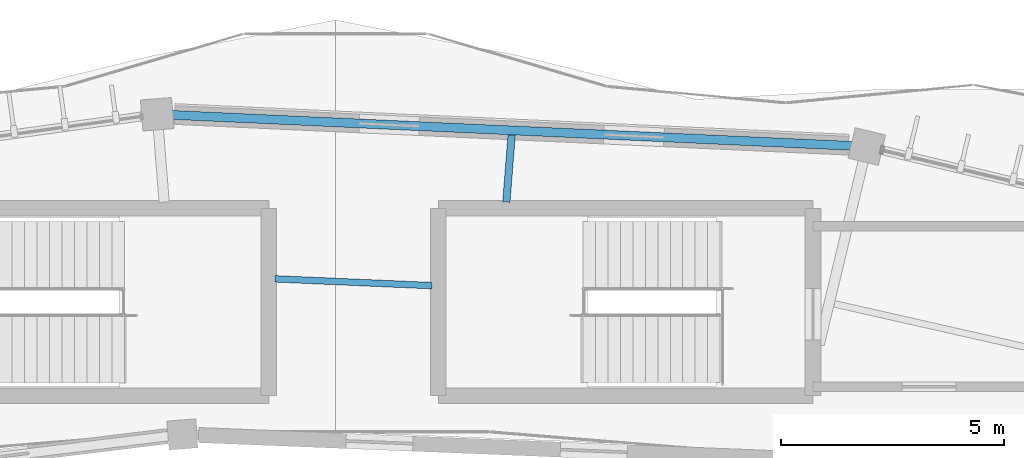
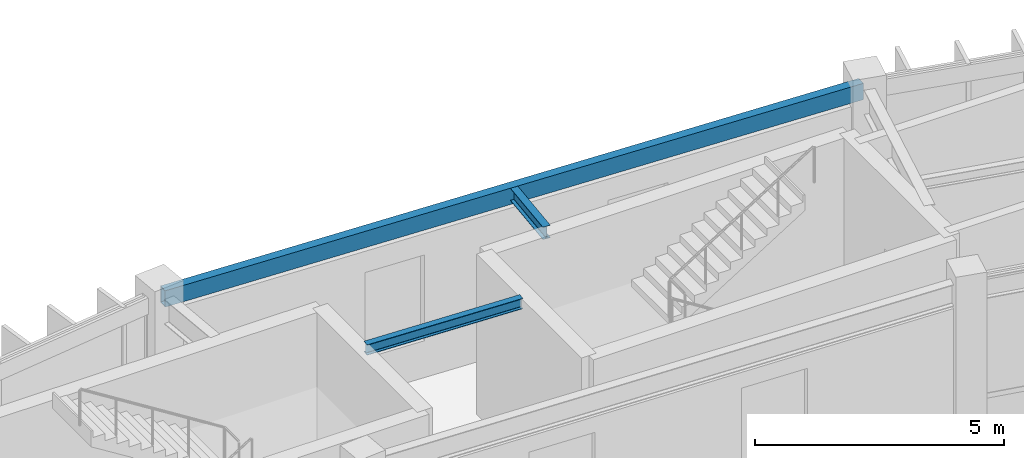
# One storey, part 68 of 138: 3 beams.
"""IFC4 building model written with IfcOpenShell, lengths in metres."""

from ifc_helpers import new_model, si_unit, direction, frame, origin, origin_2d, place, context, subcontext, project, spatial, hollow_rectangle, i_section, extrude, material, material_profile, profile_set, type_object, element, save


model = new_model("IFC4")

# Units and contexts
model_context = context("Model", 3, precision=1e-05, world=origin(), true_north=direction((0.0, 1.0)))
body_context = subcontext(model_context, "Body", "Model", "MODEL_VIEW")
ifc_project = project(units=[si_unit("LENGTHUNIT", "METRE"), si_unit("AREAUNIT", "SQUARE_METRE"), si_unit("VOLUMEUNIT", "CUBIC_METRE"), si_unit("PLANEANGLEUNIT", "RADIAN"), si_unit("MASSUNIT", "GRAM", prefix="KILO"), si_unit("THERMODYNAMICTEMPERATUREUNIT", "KELVIN"), si_unit("POWERUNIT", "WATT")], contexts=[model_context])

# Site, building, storey
site_placement = place(None, origin())
site = spatial("IfcSite", under=ifc_project, at=site_placement, CompositionType="ELEMENT")
building_placement = place(site_placement, origin())
building = spatial("IfcBuilding", under=site, at=building_placement, Name="Darbajah Civic Hall", CompositionType="ELEMENT")
storey_placement = place(building_placement, frame((0.0, 0.0, 9.60009765625)))
storey = spatial("IfcBuildingStorey", under=building, at=storey_placement, Name="L02", CompositionType="ELEMENT", Elevation=9.60009765625)

# Beams
ifc_material = material(Name="Steel S355JR", Category="steel")
ifc_material_profile_1 = material_profile(ifc_material, hollow_rectangle(XDim=0.199951171875, YDim=0.39990234375, WallThickness=0.013916015625, at=origin_2d()), Name="RHS 400x200x14")
ifc_profile_set_1 = profile_set([ifc_material_profile_1], Name="Steel S355JR")
beam_type_1 = type_object("IfcBeamType", Name="RHS 400x200x14", PredefinedType="SPANDREL", material=ifc_profile_set_1)
beam_1_placement = place(storey_placement, frame((100.92578125, 118.488525390625, 3.719970703125), z_axis=(-0.998964928608, 0.04548704664, 0.0), x_axis=(-0.04548704664, -0.998964928608, 0.0)))
element("IfcBeam", 1, at=beam_1_placement, inside=storey, type_object=beam_type_1, Name="L02 beam SP-RHS400", PredefinedType="SPANDREL", context=body_context, shape_type="SweptSolid", body=[
    extrude(hollow_rectangle(XDim=0.199951171875, YDim=0.39990234375, WallThickness=0.013916015625, at=origin_2d()), origin(), (0.0, 0.0, 1.0), 15.763671875),
])
ifc_material_profile_2 = material_profile(ifc_material, i_section(OverallWidth=0.146484375, OverallDepth=0.256103515625, WebThickness=0.00634765625, FlangeThickness=0.010986328125, FilletRadius=0.007568359375, at=origin_2d()), Name="UB 254x146x37")
ifc_profile_set_2 = profile_set([ifc_material_profile_2], Name="Steel S355JR")
beam_type_2 = type_object("IfcBeamType", Name="UB 254x146x37", PredefinedType="JOIST", material=ifc_profile_set_2)
beam_2_placement = place(storey_placement, frame((91.260009765625, 115.3671875, 3.7919921875), z_axis=(-0.999073726109, 0.043031265357, 0.0), x_axis=(-0.043031265357, -0.999073726109, 0.0)))
element("IfcBeam", 2, at=beam_2_placement, inside=storey, type_object=beam_type_2, Name="L02 beam SJ-254", PredefinedType="JOIST", context=body_context, shape_type="SweptSolid", body=[
    extrude(i_section(OverallWidth=0.146484375, OverallDepth=0.256103515625, WebThickness=0.00634765625, FlangeThickness=0.010986328125, FilletRadius=0.007568359375, at=origin_2d()), origin(), (0.0, 0.0, 1.0), 3.523193359375),
])
ifc_material_profile_3 = material_profile(ifc_material, i_section(OverallWidth=0.165771484375, OverallDepth=0.306640625, WebThickness=0.006591796875, FlangeThickness=0.01171875, FilletRadius=0.0087890625, at=origin_2d()), Name="UB 305x165x46")
ifc_profile_set_3 = profile_set([ifc_material_profile_3], Name="Steel S355JR")
beam_type_3 = type_object("IfcBeamType", Name="UB 305x165x46", PredefinedType="JOIST", material=ifc_profile_set_3)
beam_3_placement = place(storey_placement, frame((92.925537109375, 117.239990234375, 3.7666015625), z_axis=(0.078575634668, 0.996908155066, 0.0), x_axis=(-0.996908155066, 0.078575634668, 0.0)))
element("IfcBeam", 3, at=beam_3_placement, inside=storey, type_object=beam_type_3, Name="L02 beam SJ-305", PredefinedType="JOIST", context=body_context, shape_type="SweptSolid", body=[
    extrude(i_section(OverallWidth=0.165771484375, OverallDepth=0.306640625, WebThickness=0.006591796875, FlangeThickness=0.01171875, FilletRadius=0.0087890625, at=origin_2d()), origin(), (0.0, 0.0, 1.0), 1.510009765625),
])

save(model, "model.ifc")
